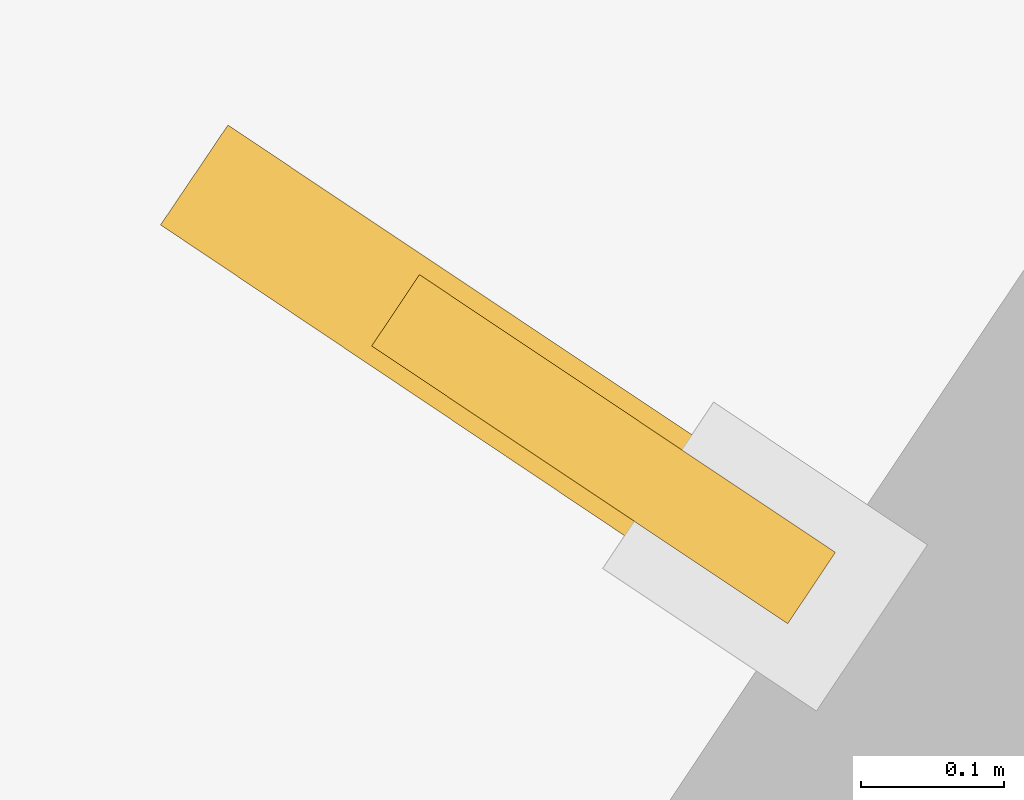
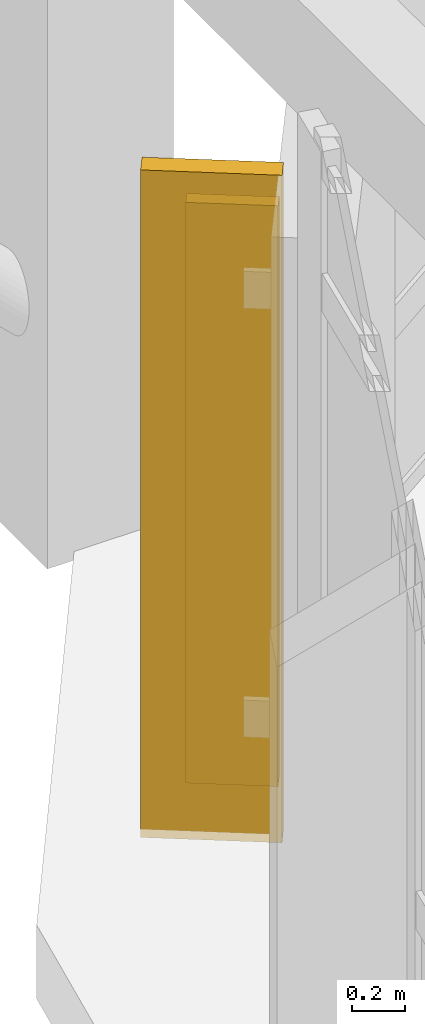
# One storey, part 92 of 105: 1 covering, 1 shading device.
"""IFC4 building model written with IfcOpenShell, lengths in metres."""

from ifc_helpers import new_model, si_unit, direction, frame, origin, origin_2d, place, context, subcontext, project, spatial, polyline, rectangle, outline, extrude, material, layer, layer_set, type_object, element, save


model = new_model("IFC4")

# Units and contexts
model_context = context("Model", 3, precision=1e-05, world=origin(), true_north=direction((0.0, 1.0)))
body_context = subcontext(model_context, "Body", "Model", "MODEL_VIEW")
ifc_project = project(units=[si_unit("LENGTHUNIT", "METRE"), si_unit("AREAUNIT", "SQUARE_METRE"), si_unit("VOLUMEUNIT", "CUBIC_METRE"), si_unit("PLANEANGLEUNIT", "RADIAN"), si_unit("MASSUNIT", "GRAM", prefix="KILO")], contexts=[model_context])

# Site, building, storey
site_placement = place(None, origin())
site = spatial("IfcSite", under=ifc_project, at=site_placement, CompositionType="ELEMENT")
building_placement = place(site_placement, origin())
building = spatial("IfcBuilding", under=site, at=building_placement, Name="Corveleigh Park Community Centre", CompositionType="ELEMENT")
storey_placement = place(building_placement, frame((0.0, 0.0, 8.699951171875)))
storey = spatial("IfcBuildingStorey", under=building, at=storey_placement, Name="L02", CompositionType="ELEMENT", Elevation=8.699951171875)

# Covering
ifc_material_1 = material(Name="Warm buff ribbed architectural cladding", Category="masonry")
ifc_layer = layer(ifc_material_1, 0.0849609375, Name="Warm buff ribbed architectural cladding", Category="masonry")
ifc_layer_set = layer_set([ifc_layer], Name="Warm buff ribbed architectural cladding")
covering_type = type_object("IfcCoveringType", Name="COV-CLD-BUF", PredefinedType="CLADDING", material=ifc_layer_set)
covering_placement = place(storey_placement, origin())
element("IfcCovering", 1, at=covering_placement, inside=storey, type_object=covering_type, Name="V3 L02 Brise-soleil blade 363", PredefinedType="CLADDING", context=body_context, shape_type="SweptSolid", body=[
    extrude(outline(polyline([(71.591064453125, 24.52197265625), (71.637939453125, 24.593017578125), (71.193115234375, 24.889892578125), (71.14599609375, 24.820068359375), (71.591064453125, 24.52197265625)])), origin(), (0.0, 0.0, 1.0), 3.074951171875),
])

# Shading device
ifc_material_2 = material(Name="Terracotta-anodised aluminium fin", Category="masonry")
shading_device_type = type_object("IfcShadingDeviceType", Name="SHD-FIN-TER-350", PredefinedType="USERDEFINED", material=ifc_material_2)
shading_device_placement = place(storey_placement, frame((71.4560546875, 24.6630859375, 0.25), z_axis=(0.0, 0.0, 1.0), x_axis=(-0.831711453149, 0.55520812197, 0.0)))
element("IfcShadingDevice", 2, at=shading_device_placement, inside=storey, type_object=shading_device_type, Name="Terracotta brise-soleil fin 71", ObjectType="FIN", PredefinedType="USERDEFINED", context=body_context, shape_type="SweptSolid", body=[
    extrude(rectangle(XDim=0.35009765625, YDim=0.06005859375, at=origin_2d()), origin(), (0.0, 0.0, 1.0), 2.675048828125),
])

save(model, "model.ifc")
